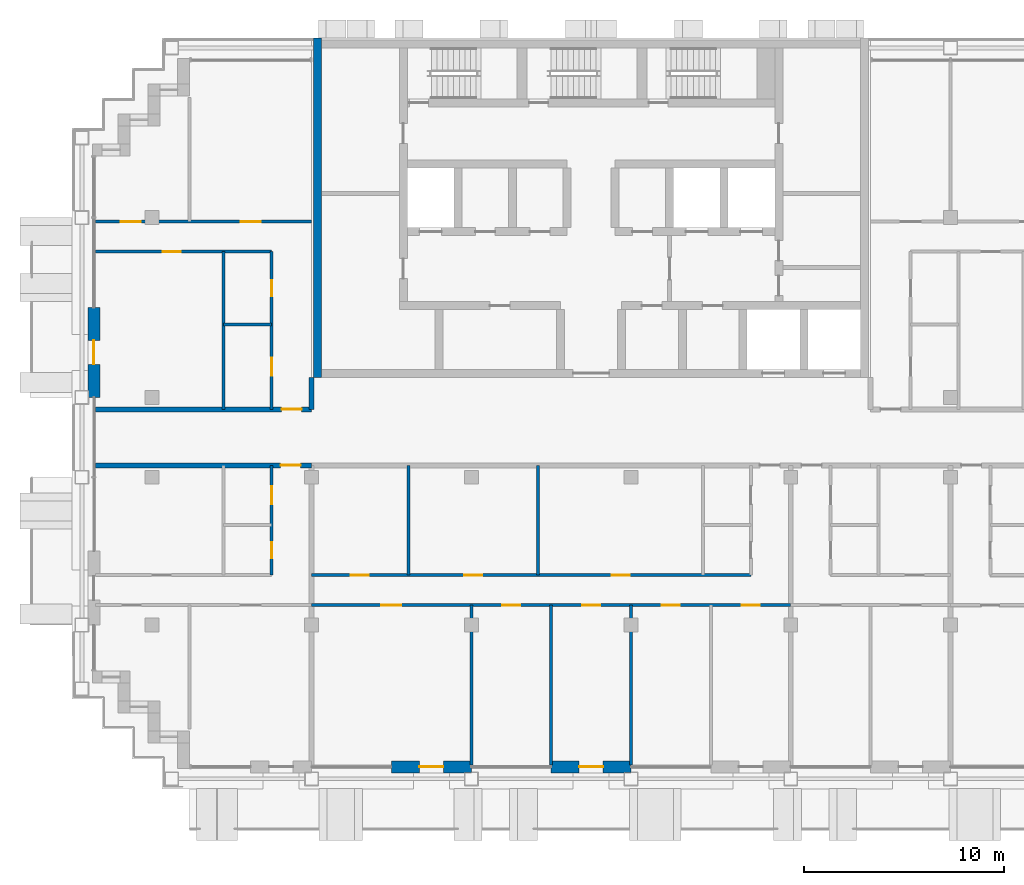
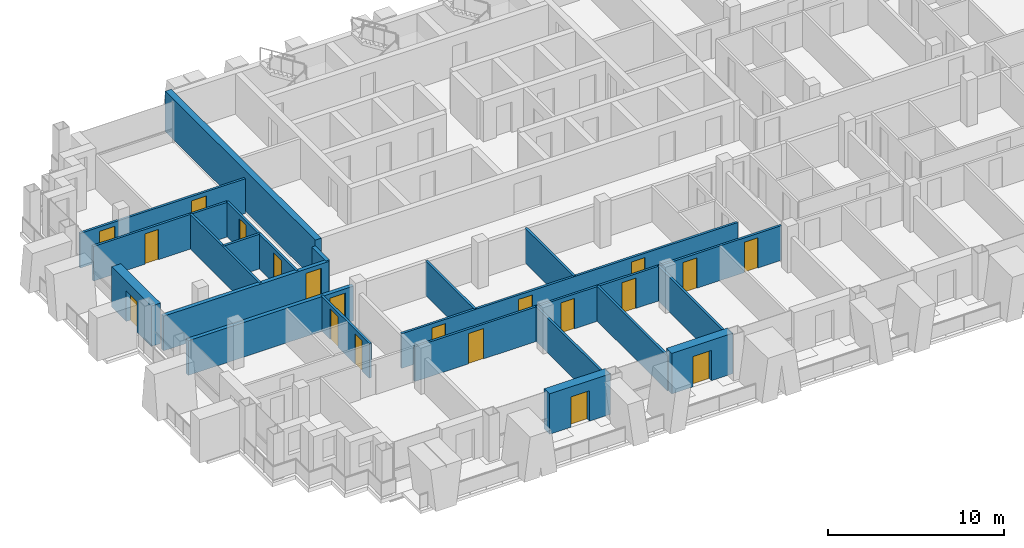
# One storey, part 8 of 16: 20 doors, 20 walls, 20 openings.
"""IFC4 building model written with IfcOpenShell, lengths in metres."""

from ifc_helpers import new_model, si_unit, direction, frame, frame_2d, origin, place, context, subcontext, project, spatial, rectangle, extrude, material, layer, layer_set, type_object, element, fill, save


model = new_model("IFC4")

# Units and contexts
model_context = context("Model", 3, precision=1e-05, world=origin(), true_north=direction((0.0, 1.0)))
body_context = subcontext(model_context, "Body", "Model", "MODEL_VIEW")
ifc_project = project(units=[si_unit("LENGTHUNIT", "METRE"), si_unit("AREAUNIT", "SQUARE_METRE"), si_unit("VOLUMEUNIT", "CUBIC_METRE"), si_unit("PLANEANGLEUNIT", "RADIAN"), si_unit("MASSUNIT", "GRAM", prefix="KILO")], contexts=[model_context])

# Site, building, storey
site_placement = place(None, origin())
site = spatial("IfcSite", under=ifc_project, at=site_placement, CompositionType="ELEMENT")
building_placement = place(site_placement, origin())
building = spatial("IfcBuilding", under=site, at=building_placement, Name="Vidyagriha Tower", CompositionType="ELEMENT")
storey_placement = place(building_placement, frame((0.0, 0.0, 190.89990234375)))
storey = spatial("IfcBuildingStorey", under=building, at=storey_placement, Name="L50", CompositionType="ELEMENT", Elevation=190.89990234375)

# Wall, opening, door
ifc_material_1 = material(Name="Precast concrete C40/50 with brick facing", Category="concrete")
ifc_layer_1 = layer(ifc_material_1, 0.60009765625)
ifc_layer_set_1 = layer_set([ifc_layer_1], Name="Precast concrete C40/50 with brick facing")
wall_type_1 = type_object("IfcWallType", Name="Brick-faced precast wall 600", PredefinedType="STANDARD", material=ifc_layer_set_1)
wall_1_placement = place(storey_placement, frame((-24.89990234375, 6.5, 0.0), z_axis=(0.0, 0.0, 1.0), x_axis=(0.0, -1.0, 0.0)))
wall_1 = element("IfcWall", 1, at=wall_1_placement, inside=storey, type_object=wall_type_1, Name="Brick door bay wall L50 R16.3", PredefinedType="STANDARD", context=body_context, shape_type="SweptSolid", body=[
    extrude(rectangle(XDim=4.5, YDim=0.60009765625, at=frame_2d((2.25, 0.0))), origin(), (0.0, 0.0, 1.0), 2.800048828125),
])
opening_1_placement = place(wall_1_placement, frame((1.64990234375, 0.0, 0.0)))
opening_1 = element("IfcOpeningElement", 2, at=opening_1_placement, cuts=wall_1, Name="Opening D50-70", PredefinedType="OPENING", context=body_context, shape_type="SweptSolid", body=[
    extrude(rectangle(XDim=1.199951171875, YDim=2.10009765625, at=frame_2d((0.60009765625, 1.050048828125))), frame((0.0, 0.31005859375, 0.0), z_axis=(0.0, -1.0, 0.0), x_axis=(1.0, 0.0, 0.0)), (0.0, 0.0, 1.0), 0.6201171875),
])
ifc_material_2 = material(Name="Aluminium framed glazed sliding door", Category="aluminium")
door_type_1 = type_object("IfcDoorType", Name="Balcony sliding door 1200x2100", OperationType="NOTDEFINED", PredefinedType="DOOR", material=ifc_material_2)
door_1_placement = place(opening_1_placement, origin())
door_1 = element("IfcDoor", 3, at=door_1_placement, inside=storey, type_object=door_type_1, Name="Door D50-70", OperationType="SLIDING_TO_LEFT", OverallHeight=2.10009765625, OverallWidth=1.199951171875, PredefinedType="DOOR", context=body_context, shape_type="SweptSolid", body=[
    extrude(rectangle(XDim=1.199951171875, YDim=2.10009765625, at=frame_2d((0.60009765625, 1.050048828125))), frame((0.0, 0.02490234375, 0.0), z_axis=(0.0, -1.0, 0.0), x_axis=(1.0, 0.0, 0.0)), (0.0, 0.0, 1.0), 0.050048828125),
])
fill(opening_1, door_1)

wall_2_placement = place(storey_placement, frame((-10.0, -16.5, 0.0)))
wall_2 = element("IfcWall", 4, at=wall_2_placement, inside=storey, type_object=wall_type_1, Name="Brick door bay wall L50 R23.4", PredefinedType="STANDARD", context=body_context, shape_type="SweptSolid", body=[
    extrude(rectangle(XDim=4.0, YDim=0.60009765625, at=frame_2d((2.0, 0.0))), origin(), (0.0, 0.0, 1.0), 2.800048828125),
])
opening_2_placement = place(wall_2_placement, frame((1.39990234375, 0.0, 0.0)))
opening_2 = element("IfcOpeningElement", 5, at=opening_2_placement, cuts=wall_2, Name="Opening D50-73", PredefinedType="OPENING", context=body_context, shape_type="SweptSolid", body=[
    extrude(rectangle(XDim=1.199951171875, YDim=2.10009765625, at=frame_2d((0.60009765625, 1.050048828125))), frame((0.0, 0.31005859375, 0.0), z_axis=(0.0, -1.0, 0.0), x_axis=(1.0, 0.0, 0.0)), (0.0, 0.0, 1.0), 0.6201171875),
])
door_2_placement = place(opening_2_placement, origin())
door_2 = element("IfcDoor", 6, at=door_2_placement, inside=storey, type_object=door_type_1, Name="Door D50-73", OperationType="SLIDING_TO_LEFT", OverallHeight=2.10009765625, OverallWidth=1.199951171875, PredefinedType="DOOR", context=body_context, shape_type="SweptSolid", body=[
    extrude(rectangle(XDim=1.199951171875, YDim=2.10009765625, at=frame_2d((0.60009765625, 1.050048828125))), frame((0.0, 0.02490234375, 0.0), z_axis=(0.0, -1.0, 0.0), x_axis=(1.0, 0.0, 0.0)), (0.0, 0.0, 1.0), 0.050048828125),
])
fill(opening_2, door_2)

wall_3_placement = place(storey_placement, frame((-2.0, -16.5, 0.0)))
wall_3 = element("IfcWall", 7, at=wall_3_placement, inside=storey, type_object=wall_type_1, Name="Brick door bay wall L50 R23.6", PredefinedType="STANDARD", context=body_context, shape_type="SweptSolid", body=[
    extrude(rectangle(XDim=4.0, YDim=0.60009765625, at=frame_2d((2.0, 0.0))), origin(), (0.0, 0.0, 1.0), 2.800048828125),
])
opening_3_placement = place(wall_3_placement, frame((1.39990234375, 0.0, 0.0)))
opening_3 = element("IfcOpeningElement", 8, at=opening_3_placement, cuts=wall_3, Name="Opening D50-74", PredefinedType="OPENING", context=body_context, shape_type="SweptSolid", body=[
    extrude(rectangle(XDim=1.199951171875, YDim=2.10009765625, at=frame_2d((0.60009765625, 1.050048828125))), frame((0.0, 0.31005859375, 0.0), z_axis=(0.0, -1.0, 0.0), x_axis=(1.0, 0.0, 0.0)), (0.0, 0.0, 1.0), 0.6201171875),
])
door_3_placement = place(opening_3_placement, origin())
door_3 = element("IfcDoor", 9, at=door_3_placement, inside=storey, type_object=door_type_1, Name="Door D50-74", OperationType="SLIDING_TO_LEFT", OverallHeight=2.10009765625, OverallWidth=1.199951171875, PredefinedType="DOOR", context=body_context, shape_type="SweptSolid", body=[
    extrude(rectangle(XDim=1.199951171875, YDim=2.10009765625, at=frame_2d((0.60009765625, 1.050048828125))), frame((0.0, 0.02490234375, 0.0), z_axis=(0.0, -1.0, 0.0), x_axis=(1.0, 0.0, 0.0)), (0.0, 0.0, 1.0), 0.050048828125),
])
fill(opening_3, door_3)

# Wall
ifc_material_3 = material(Name="Concrete C60/75", Category="concrete")
ifc_layer_2 = layer(ifc_material_3, 0.39990234375)
ifc_layer_set_2 = layer_set([ifc_layer_2], Name="Concrete C60/75")
wall_type_2 = type_object("IfcWallType", Name="Core shear wall 400 mm", PredefinedType="SHEAR", material=ifc_layer_set_2)
wall_4_placement = place(storey_placement, frame((-13.699951171875, 3.0, 0.0), z_axis=(0.0, 0.0, 1.0), x_axis=(0.0, 1.0, 0.0)))
element("IfcWall", 10, at=wall_4_placement, inside=storey, type_object=wall_type_2, Name="Core west wall", PredefinedType="SHEAR", context=body_context, shape_type="SweptSolid", body=[
    extrude(rectangle(XDim=17.0, YDim=0.39990234375, at=frame_2d((8.5, 0.0))), origin(), (0.0, 0.0, 1.0), 2.800048828125),
])

# Wall, opening, door
ifc_material_4 = material(Name="Fired clay brick masonry", Category="masonry")
ifc_layer_3 = layer(ifc_material_4, 0.25)
ifc_layer_set_3 = layer_set([ifc_layer_3], Name="Fired clay brick masonry")
wall_type_3 = type_object("IfcWallType", Name="Fired clay brick corridor wall 250", PredefinedType="PARTITIONING", material=ifc_layer_set_3)
wall_5_placement = place(storey_placement, frame((-14.0, -1.39990234375, 0.0), z_axis=(0.0, 0.0, 1.0), x_axis=(-1.0, 0.0, 0.0)))
wall_5 = element("IfcWall", 11, at=wall_5_placement, inside=storey, type_object=wall_type_3, Name="Wall all-L50-w070", PredefinedType="PARTITIONING", context=body_context, shape_type="SweptSolid", body=[
    extrude(rectangle(XDim=10.820068359375, YDim=0.25, at=frame_2d((5.41015625, 0.0))), origin(), (0.0, 0.0, 1.0), 2.400146484375),
])
opening_4_placement = place(wall_5_placement, frame((0.547119140625, 0.0, 0.0)))
opening_4 = element("IfcOpeningElement", 12, at=opening_4_placement, cuts=wall_5, Name="Opening D50-22", PredefinedType="OPENING", context=body_context, shape_type="SweptSolid", body=[
    extrude(rectangle(XDim=1.0, YDim=2.10009765625, at=frame_2d((0.5, 1.050048828125))), frame((0.0, 0.135009765625, 0.0), z_axis=(0.0, -1.0, 0.0), x_axis=(1.0, 0.0, 0.0)), (0.0, 0.0, 1.0), 0.27001953125),
])
ifc_material_5 = material(Name="Fire-rated timber door leaf EI 60", Category="wood")
door_type_2 = type_object("IfcDoorType", Name="Flat entrance fire door 1000x2100", OperationType="NOTDEFINED", PredefinedType="DOOR", material=ifc_material_5)
door_4_placement = place(opening_4_placement, origin())
door_4 = element("IfcDoor", 13, at=door_4_placement, inside=storey, type_object=door_type_2, Name="Door D50-22", OperationType="SINGLE_SWING_LEFT", OverallHeight=2.10009765625, OverallWidth=1.0, PredefinedType="DOOR", context=body_context, shape_type="SweptSolid", body=[
    extrude(rectangle(XDim=1.0, YDim=2.10009765625, at=frame_2d((0.5, 1.050048828125))), frame((0.0, 0.02490234375, 0.0), z_axis=(0.0, -1.0, 0.0), x_axis=(1.0, 0.0, 0.0)), (0.0, 0.0, 1.0), 0.050048828125),
])
fill(opening_4, door_4)

wall_6_placement = place(storey_placement, frame((-24.820068359375, 1.39990234375, 0.0)))
wall_6 = element("IfcWall", 14, at=wall_6_placement, inside=storey, type_object=wall_type_3, Name="Wall all-L50-w085", PredefinedType="PARTITIONING", context=body_context, shape_type="SweptSolid", body=[
    extrude(rectangle(XDim=10.820068359375, YDim=0.25, at=frame_2d((5.41015625, 0.0))), origin(), (0.0, 0.0, 1.0), 2.400146484375),
])
opening_5_placement = place(wall_6_placement, frame((9.320068359375, 0.0, 0.0)))
opening_5 = element("IfcOpeningElement", 15, at=opening_5_placement, cuts=wall_6, Name="Opening D50-55", PredefinedType="OPENING", context=body_context, shape_type="SweptSolid", body=[
    extrude(rectangle(XDim=1.0, YDim=2.10009765625, at=frame_2d((0.5, 1.050048828125))), frame((0.0, 0.135009765625, 0.0), z_axis=(0.0, -1.0, 0.0), x_axis=(1.0, 0.0, 0.0)), (0.0, 0.0, 1.0), 0.27001953125),
])
door_5_placement = place(opening_5_placement, origin())
door_5 = element("IfcDoor", 16, at=door_5_placement, inside=storey, type_object=door_type_2, Name="Door D50-55", OperationType="SINGLE_SWING_RIGHT", OverallHeight=2.10009765625, OverallWidth=1.0, PredefinedType="DOOR", context=body_context, shape_type="SweptSolid", body=[
    extrude(rectangle(XDim=1.0, YDim=2.10009765625, at=frame_2d((0.5, 1.050048828125))), frame((0.0, 0.02490234375, 0.0), z_axis=(0.0, -1.0, 0.0), x_axis=(1.0, 0.0, 0.0)), (0.0, 0.0, 1.0), 0.050048828125),
])
fill(opening_5, door_5)

# Walls
wall_7_placement = place(storey_placement, frame((-14.0, 3.0, 0.0), z_axis=(0.0, 0.0, 1.0), x_axis=(0.0, -1.0, 0.0)))
element("IfcWall", 17, at=wall_7_placement, inside=storey, type_object=wall_type_3, Name="Wall all-L50-w118", PredefinedType="PARTITIONING", context=body_context, shape_type="SweptSolid", body=[
    extrude(rectangle(XDim=1.60009765625, YDim=0.25, at=frame_2d((0.800048828125, 0.0))), origin(), (0.0, 0.0, 1.0), 2.400146484375),
])
ifc_material_6 = material(Name="Gypsum board partition")
ifc_layer_4 = layer(ifc_material_6, 0.14990234375)
ifc_layer_set_4 = layer_set([ifc_layer_4], Name="Gypsum board partition")
wall_type_4 = type_object("IfcWallType", Name="Gypsum board partition 150", PredefinedType="PARTITIONING", material=ifc_layer_set_4)
for number, where, z_axis, x_axis, name in (
    (18, (-2.64990234375, -6.89990234375, 0.0), (0.0, 0.0, 1.0), (0.0, 1.0, 0.0), "Wall all-L50-w018"),
    (19, (-9.14990234375, -6.89990234375, 0.0), (0.0, 0.0, 1.0), (0.0, 1.0, 0.0), "Wall all-L50-w019"),
):
    element("IfcWall", number, at=place(storey_placement, frame(where, z_axis=z_axis, x_axis=x_axis)), inside=storey, type_object=wall_type_4, Name=name, PredefinedType="PARTITIONING", context=body_context, shape_type="SweptSolid", body=[
        extrude(rectangle(XDim=5.5, YDim=0.14990234375, at=frame_2d((2.75, 0.0))), origin(), (0.0, 0.0, 1.0), 2.400146484375),
    ])

# Wall, openings, doors
wall_8_placement = place(storey_placement, frame((-14.0, -6.89990234375, 0.0)))
wall_8 = element("IfcWall", 20, at=wall_8_placement, inside=storey, type_object=wall_type_4, Name="Wall all-L50-w020", PredefinedType="PARTITIONING", context=body_context, shape_type="SweptSolid", body=[
    extrude(rectangle(XDim=22.0, YDim=0.14990234375, at=frame_2d((11.0, 0.0))), origin(), (0.0, 0.0, 1.0), 2.400146484375),
])
opening_6_placement = place(wall_8_placement, frame((15.02490234375, 0.0, 0.0)))
opening_6 = element("IfcOpeningElement", 21, at=opening_6_placement, cuts=wall_8, Name="Opening D50-25", PredefinedType="OPENING", context=body_context, shape_type="SweptSolid", body=[
    extrude(rectangle(XDim=0.89990234375, YDim=2.10009765625, at=frame_2d((0.449951171875, 1.050048828125))), frame((0.0, 0.0849609375, 0.0), z_axis=(0.0, -1.0, 0.0), x_axis=(1.0, 0.0, 0.0)), (0.0, 0.0, 1.0), 0.169921875),
])
opening_7_placement = place(wall_8_placement, frame((7.64990234375, 0.0, 0.0)))
opening_7 = element("IfcOpeningElement", 22, at=opening_7_placement, cuts=wall_8, Name="Opening D50-26", PredefinedType="OPENING", context=body_context, shape_type="SweptSolid", body=[
    extrude(rectangle(XDim=0.89990234375, YDim=2.10009765625, at=frame_2d((0.449951171875, 1.050048828125))), frame((0.0, 0.0849609375, 0.0), z_axis=(0.0, -1.0, 0.0), x_axis=(1.0, 0.0, 0.0)), (0.0, 0.0, 1.0), 0.169921875),
])
opening_8_placement = place(wall_8_placement, frame((1.97509765625, 0.0, 0.0)))
opening_8 = element("IfcOpeningElement", 23, at=opening_8_placement, cuts=wall_8, Name="Opening D50-27", PredefinedType="OPENING", context=body_context, shape_type="SweptSolid", body=[
    extrude(rectangle(XDim=0.89990234375, YDim=2.10009765625, at=frame_2d((0.449951171875, 1.050048828125))), frame((0.0, 0.0849609375, 0.0), z_axis=(0.0, -1.0, 0.0), x_axis=(1.0, 0.0, 0.0)), (0.0, 0.0, 1.0), 0.169921875),
])
ifc_material_7 = material(Name="Timber door leaf", Category="wood")
door_type_3 = type_object("IfcDoorType", Name="Room door 900x2100", OperationType="NOTDEFINED", PredefinedType="DOOR", material=ifc_material_7)
door_6_placement = place(opening_6_placement, origin())
door_6 = element("IfcDoor", 24, at=door_6_placement, inside=storey, type_object=door_type_3, Name="Door D50-25", OperationType="SINGLE_SWING_RIGHT", OverallHeight=2.10009765625, OverallWidth=0.89990234375, PredefinedType="DOOR", context=body_context, shape_type="SweptSolid", body=[
    extrude(rectangle(XDim=0.89990234375, YDim=2.10009765625, at=frame_2d((0.449951171875, 1.050048828125))), frame((0.0, 0.02490234375, 0.0), z_axis=(0.0, -1.0, 0.0), x_axis=(1.0, 0.0, 0.0)), (0.0, 0.0, 1.0), 0.050048828125),
])
fill(opening_6, door_6)
door_7_placement = place(opening_7_placement, origin())
door_7 = element("IfcDoor", 25, at=door_7_placement, inside=storey, type_object=door_type_3, Name="Door D50-26", OperationType="SINGLE_SWING_LEFT", OverallHeight=2.10009765625, OverallWidth=0.89990234375, PredefinedType="DOOR", context=body_context, shape_type="SweptSolid", body=[
    extrude(rectangle(XDim=0.89990234375, YDim=2.10009765625, at=frame_2d((0.449951171875, 1.050048828125))), frame((0.0, 0.02490234375, 0.0), z_axis=(0.0, -1.0, 0.0), x_axis=(1.0, 0.0, 0.0)), (0.0, 0.0, 1.0), 0.050048828125),
])
fill(opening_7, door_7)
door_8_placement = place(opening_8_placement, origin())
door_8 = element("IfcDoor", 26, at=door_8_placement, inside=storey, type_object=door_type_3, Name="Door D50-27", OperationType="SINGLE_SWING_RIGHT", OverallHeight=2.10009765625, OverallWidth=0.89990234375, PredefinedType="DOOR", context=body_context, shape_type="SweptSolid", body=[
    extrude(rectangle(XDim=0.89990234375, YDim=2.10009765625, at=frame_2d((0.449951171875, 1.050048828125))), frame((0.0, 0.02490234375, 0.0), z_axis=(0.0, -1.0, 0.0), x_axis=(1.0, 0.0, 0.0)), (0.0, 0.0, 1.0), 0.050048828125),
])
fill(opening_8, door_8)

wall_9_placement = place(storey_placement, frame((10.0, -8.39990234375, 0.0), z_axis=(0.0, 0.0, 1.0), x_axis=(-1.0, 0.0, 0.0)))
wall_9 = element("IfcWall", 27, at=wall_9_placement, inside=storey, type_object=wall_type_4, Name="Wall all-L50-w024", PredefinedType="PARTITIONING", context=body_context, shape_type="SweptSolid", body=[
    extrude(rectangle(XDim=24.0, YDim=0.14990234375, at=frame_2d((12.0, 0.0))), origin(), (0.0, 0.0, 1.0), 2.400146484375),
])
opening_9_placement = place(wall_9_placement, frame((19.5, 0.0, 0.0)))
opening_9 = element("IfcOpeningElement", 28, at=opening_9_placement, cuts=wall_9, Name="Opening D50-28", PredefinedType="OPENING", context=body_context, shape_type="SweptSolid", body=[
    extrude(rectangle(XDim=1.0, YDim=2.10009765625, at=frame_2d((0.5, 1.050048828125))), frame((0.0, 0.0849609375, 0.0), z_axis=(0.0, -1.0, 0.0), x_axis=(1.0, 0.0, 0.0)), (0.0, 0.0, 1.0), 0.169921875),
])
opening_10_placement = place(wall_9_placement, frame((13.550048828125, 0.0, 0.0)))
opening_10 = element("IfcOpeningElement", 29, at=opening_10_placement, cuts=wall_9, Name="Opening D50-29", PredefinedType="OPENING", context=body_context, shape_type="SweptSolid", body=[
    extrude(rectangle(XDim=0.89990234375, YDim=2.10009765625, at=frame_2d((0.449951171875, 1.050048828125))), frame((0.0, 0.0849609375, 0.0), z_axis=(0.0, -1.0, 0.0), x_axis=(1.0, 0.0, 0.0)), (0.0, 0.0, 1.0), 0.169921875),
])
opening_11_placement = place(wall_9_placement, frame((9.550048828125, 0.0, 0.0)))
opening_11 = element("IfcOpeningElement", 30, at=opening_11_placement, cuts=wall_9, Name="Opening D50-30", PredefinedType="OPENING", context=body_context, shape_type="SweptSolid", body=[
    extrude(rectangle(XDim=0.89990234375, YDim=2.10009765625, at=frame_2d((0.449951171875, 1.050048828125))), frame((0.0, 0.0849609375, 0.0), z_axis=(0.0, -1.0, 0.0), x_axis=(1.0, 0.0, 0.0)), (0.0, 0.0, 1.0), 0.169921875),
])
opening_12_placement = place(wall_9_placement, frame((5.550048828125, 0.0, 0.0)))
opening_12 = element("IfcOpeningElement", 31, at=opening_12_placement, cuts=wall_9, Name="Opening D50-31", PredefinedType="OPENING", context=body_context, shape_type="SweptSolid", body=[
    extrude(rectangle(XDim=0.89990234375, YDim=2.10009765625, at=frame_2d((0.449951171875, 1.050048828125))), frame((0.0, 0.0849609375, 0.0), z_axis=(0.0, -1.0, 0.0), x_axis=(1.0, 0.0, 0.0)), (0.0, 0.0, 1.0), 0.169921875),
])
opening_13_placement = place(wall_9_placement, frame((1.550048828125, 0.0, 0.0)))
opening_13 = element("IfcOpeningElement", 32, at=opening_13_placement, cuts=wall_9, Name="Opening D50-32", PredefinedType="OPENING", context=body_context, shape_type="SweptSolid", body=[
    extrude(rectangle(XDim=0.89990234375, YDim=2.10009765625, at=frame_2d((0.449951171875, 1.050048828125))), frame((0.0, 0.0849609375, 0.0), z_axis=(0.0, -1.0, 0.0), x_axis=(1.0, 0.0, 0.0)), (0.0, 0.0, 1.0), 0.169921875),
])
ifc_material_8 = material(Name="Timber door leaf", Category="wood")
door_type_4 = type_object("IfcDoorType", Name="Room door 1000x2100", OperationType="NOTDEFINED", PredefinedType="DOOR", material=ifc_material_8)
door_9_placement = place(opening_9_placement, origin())
door_9 = element("IfcDoor", 33, at=door_9_placement, inside=storey, type_object=door_type_4, Name="Door D50-28", OperationType="SINGLE_SWING_RIGHT", OverallHeight=2.10009765625, OverallWidth=1.0, PredefinedType="DOOR", context=body_context, shape_type="SweptSolid", body=[
    extrude(rectangle(XDim=1.0, YDim=2.10009765625, at=frame_2d((0.5, 1.050048828125))), frame((0.0, 0.02490234375, 0.0), z_axis=(0.0, -1.0, 0.0), x_axis=(1.0, 0.0, 0.0)), (0.0, 0.0, 1.0), 0.050048828125),
])
fill(opening_9, door_9)
door_10_placement = place(opening_10_placement, origin())
door_10 = element("IfcDoor", 34, at=door_10_placement, inside=storey, type_object=door_type_3, Name="Door D50-29", OperationType="SINGLE_SWING_RIGHT", OverallHeight=2.10009765625, OverallWidth=0.89990234375, PredefinedType="DOOR", context=body_context, shape_type="SweptSolid", body=[
    extrude(rectangle(XDim=0.89990234375, YDim=2.10009765625, at=frame_2d((0.449951171875, 1.050048828125))), frame((0.0, 0.02490234375, 0.0), z_axis=(0.0, -1.0, 0.0), x_axis=(1.0, 0.0, 0.0)), (0.0, 0.0, 1.0), 0.050048828125),
])
fill(opening_10, door_10)
door_11_placement = place(opening_11_placement, origin())
door_11 = element("IfcDoor", 35, at=door_11_placement, inside=storey, type_object=door_type_3, Name="Door D50-30", OperationType="SINGLE_SWING_RIGHT", OverallHeight=2.10009765625, OverallWidth=0.89990234375, PredefinedType="DOOR", context=body_context, shape_type="SweptSolid", body=[
    extrude(rectangle(XDim=0.89990234375, YDim=2.10009765625, at=frame_2d((0.449951171875, 1.050048828125))), frame((0.0, 0.02490234375, 0.0), z_axis=(0.0, -1.0, 0.0), x_axis=(1.0, 0.0, 0.0)), (0.0, 0.0, 1.0), 0.050048828125),
])
fill(opening_11, door_11)
door_12_placement = place(opening_12_placement, origin())
door_12 = element("IfcDoor", 36, at=door_12_placement, inside=storey, type_object=door_type_3, Name="Door D50-31", OperationType="SINGLE_SWING_RIGHT", OverallHeight=2.10009765625, OverallWidth=0.89990234375, PredefinedType="DOOR", context=body_context, shape_type="SweptSolid", body=[
    extrude(rectangle(XDim=0.89990234375, YDim=2.10009765625, at=frame_2d((0.449951171875, 1.050048828125))), frame((0.0, 0.02490234375, 0.0), z_axis=(0.0, -1.0, 0.0), x_axis=(1.0, 0.0, 0.0)), (0.0, 0.0, 1.0), 0.050048828125),
])
fill(opening_12, door_12)
door_13_placement = place(opening_13_placement, origin())
door_13 = element("IfcDoor", 37, at=door_13_placement, inside=storey, type_object=door_type_3, Name="Door D50-32", OperationType="SINGLE_SWING_RIGHT", OverallHeight=2.10009765625, OverallWidth=0.89990234375, PredefinedType="DOOR", context=body_context, shape_type="SweptSolid", body=[
    extrude(rectangle(XDim=0.89990234375, YDim=2.10009765625, at=frame_2d((0.449951171875, 1.050048828125))), frame((0.0, 0.02490234375, 0.0), z_axis=(0.0, -1.0, 0.0), x_axis=(1.0, 0.0, 0.0)), (0.0, 0.0, 1.0), 0.050048828125),
])
fill(opening_13, door_13)

# Walls
wall_10_placement = place(storey_placement, frame((-6.0, -8.39990234375, 0.0), z_axis=(0.0, 0.0, 1.0), x_axis=(0.0, -1.0, 0.0)))
element("IfcWall", 38, at=wall_10_placement, inside=storey, type_object=wall_type_4, Name="Wall all-L50-w030", PredefinedType="PARTITIONING", context=body_context, shape_type="SweptSolid", body=[
    extrude(rectangle(XDim=8.010009765625, YDim=0.14990234375, at=frame_2d((4.0048828125, 0.0))), origin(), (0.0, 0.0, 1.0), 2.400146484375),
])
wall_11_placement = place(storey_placement, frame((-2.0, -8.39990234375, 0.0), z_axis=(0.0, 0.0, 1.0), x_axis=(0.0, -1.0, 0.0)))
element("IfcWall", 39, at=wall_11_placement, inside=storey, type_object=wall_type_4, Name="Wall all-L50-w031", PredefinedType="PARTITIONING", context=body_context, shape_type="SweptSolid", body=[
    extrude(rectangle(XDim=8.02099609375, YDim=0.14990234375, at=frame_2d((4.010498046875, 0.0))), origin(), (0.0, 0.0, 1.0), 2.400146484375),
])
wall_12_placement = place(storey_placement, frame((2.0, -8.39990234375, 0.0), z_axis=(0.0, 0.0, 1.0), x_axis=(0.0, -1.0, 0.0)))
element("IfcWall", 40, at=wall_12_placement, inside=storey, type_object=wall_type_4, Name="Wall all-L50-w032", PredefinedType="PARTITIONING", context=body_context, shape_type="SweptSolid", body=[
    extrude(rectangle(XDim=8.010009765625, YDim=0.14990234375, at=frame_2d((4.0048828125, 0.0))), origin(), (0.0, 0.0, 1.0), 2.400146484375),
])
wall_13_placement = place(storey_placement, frame((-18.39990234375, 5.64990234375, 0.0)))
element("IfcWall", 41, at=wall_13_placement, inside=storey, type_object=wall_type_4, Name="Wall all-L50-w076", PredefinedType="PARTITIONING", context=body_context, shape_type="SweptSolid", body=[
    extrude(rectangle(XDim=2.39990234375, YDim=0.14990234375, at=frame_2d((1.199951171875, 0.0))), origin(), (0.0, 0.0, 1.0), 2.400146484375),
])
wall_14_placement = place(storey_placement, frame((-18.39990234375, 1.39990234375, 0.0), z_axis=(0.0, 0.0, 1.0), x_axis=(0.0, 1.0, 0.0)))
element("IfcWall", 42, at=wall_14_placement, inside=storey, type_object=wall_type_4, Name="Wall all-L50-w077", PredefinedType="PARTITIONING", context=body_context, shape_type="SweptSolid", body=[
    extrude(rectangle(XDim=7.900146484375, YDim=0.14990234375, at=frame_2d((3.9501953125, 0.0))), origin(), (0.0, 0.0, 1.0), 2.400146484375),
])

# Wall, opening, door
wall_15_placement = place(storey_placement, frame((-16.0, 9.300048828125, 0.0), z_axis=(0.0, 0.0, 1.0), x_axis=(-1.0, 0.0, 0.0)))
wall_15 = element("IfcWall", 43, at=wall_15_placement, inside=storey, type_object=wall_type_4, Name="Wall all-L50-w078", PredefinedType="PARTITIONING", context=body_context, shape_type="SweptSolid", body=[
    extrude(rectangle(XDim=8.820068359375, YDim=0.14990234375, at=frame_2d((4.41015625, 0.0))), origin(), (0.0, 0.0, 1.0), 2.400146484375),
])
opening_14_placement = place(wall_15_placement, frame((4.552978515625, 0.0, 0.0)))
opening_14 = element("IfcOpeningElement", 44, at=opening_14_placement, cuts=wall_15, Name="Opening D50-52", PredefinedType="OPENING", context=body_context, shape_type="SweptSolid", body=[
    extrude(rectangle(XDim=0.89990234375, YDim=2.10009765625, at=frame_2d((0.449951171875, 1.050048828125))), frame((0.0, 0.0849609375, 0.0), z_axis=(0.0, -1.0, 0.0), x_axis=(1.0, 0.0, 0.0)), (0.0, 0.0, 1.0), 0.169921875),
])
door_14_placement = place(opening_14_placement, origin())
door_14 = element("IfcDoor", 45, at=door_14_placement, inside=storey, type_object=door_type_3, Name="Door D50-52", OperationType="SINGLE_SWING_LEFT", OverallHeight=2.10009765625, OverallWidth=0.89990234375, PredefinedType="DOOR", context=body_context, shape_type="SweptSolid", body=[
    extrude(rectangle(XDim=0.89990234375, YDim=2.10009765625, at=frame_2d((0.449951171875, 1.050048828125))), frame((0.0, 0.02490234375, 0.0), z_axis=(0.0, -1.0, 0.0), x_axis=(1.0, 0.0, 0.0)), (0.0, 0.0, 1.0), 0.050048828125),
])
fill(opening_14, door_14)

# Wall, openings, doors
wall_16_placement = place(storey_placement, frame((-24.820068359375, 10.800048828125, 0.0)))
wall_16 = element("IfcWall", 46, at=wall_16_placement, inside=storey, type_object=wall_type_4, Name="Wall all-L50-w080", PredefinedType="PARTITIONING", context=body_context, shape_type="SweptSolid", body=[
    extrude(rectangle(XDim=10.820068359375, YDim=0.14990234375, at=frame_2d((5.41015625, 0.0))), origin(), (0.0, 0.0, 1.0), 2.400146484375),
])
opening_15_placement = place(wall_16_placement, frame((1.27294921875, 0.0, 0.0)))
opening_15 = element("IfcOpeningElement", 47, at=opening_15_placement, cuts=wall_16, Name="Opening D50-53", PredefinedType="OPENING", context=body_context, shape_type="SweptSolid", body=[
    extrude(rectangle(XDim=1.0, YDim=2.10009765625, at=frame_2d((0.5, 1.050048828125))), frame((0.0, 0.0849609375, 0.0), z_axis=(0.0, -1.0, 0.0), x_axis=(1.0, 0.0, 0.0)), (0.0, 0.0, 1.0), 0.169921875),
])
opening_16_placement = place(wall_16_placement, frame((7.27001953125, 0.0, 0.0)))
opening_16 = element("IfcOpeningElement", 48, at=opening_16_placement, cuts=wall_16, Name="Opening D50-54", PredefinedType="OPENING", context=body_context, shape_type="SweptSolid", body=[
    extrude(rectangle(XDim=1.0, YDim=2.10009765625, at=frame_2d((0.5, 1.050048828125))), frame((0.0, 0.0849609375, 0.0), z_axis=(0.0, -1.0, 0.0), x_axis=(1.0, 0.0, 0.0)), (0.0, 0.0, 1.0), 0.169921875),
])
door_15_placement = place(opening_15_placement, origin())
door_15 = element("IfcDoor", 49, at=door_15_placement, inside=storey, type_object=door_type_4, Name="Door D50-53", OperationType="SINGLE_SWING_LEFT", OverallHeight=2.10009765625, OverallWidth=1.0, PredefinedType="DOOR", context=body_context, shape_type="SweptSolid", body=[
    extrude(rectangle(XDim=1.0, YDim=2.10009765625, at=frame_2d((0.5, 1.050048828125))), frame((0.0, 0.02490234375, 0.0), z_axis=(0.0, -1.0, 0.0), x_axis=(1.0, 0.0, 0.0)), (0.0, 0.0, 1.0), 0.050048828125),
])
fill(opening_15, door_15)
door_16_placement = place(opening_16_placement, origin())
door_16 = element("IfcDoor", 50, at=door_16_placement, inside=storey, type_object=door_type_4, Name="Door D50-54", OperationType="SINGLE_SWING_RIGHT", OverallHeight=2.10009765625, OverallWidth=1.0, PredefinedType="DOOR", context=body_context, shape_type="SweptSolid", body=[
    extrude(rectangle(XDim=1.0, YDim=2.10009765625, at=frame_2d((0.5, 1.050048828125))), frame((0.0, 0.02490234375, 0.0), z_axis=(0.0, -1.0, 0.0), x_axis=(1.0, 0.0, 0.0)), (0.0, 0.0, 1.0), 0.050048828125),
])
fill(opening_16, door_16)

ifc_material_9 = material(Name="Moisture resistant gypsum board partition")
ifc_layer_5 = layer(ifc_material_9, 0.14990234375)
ifc_layer_set_5 = layer_set([ifc_layer_5], Name="Moisture resistant gypsum board partition")
wall_type_5 = type_object("IfcWallType", Name="Gypsum board wet-area partition 150", PredefinedType="PARTITIONING", material=ifc_layer_set_5)
wall_17_placement = place(storey_placement, frame((-16.0, -6.89990234375, 0.0), z_axis=(0.0, 0.0, 1.0), x_axis=(0.0, 1.0, 0.0)))
wall_17 = element("IfcWall", 51, at=wall_17_placement, inside=storey, type_object=wall_type_5, Name="Wall all-L50-w001", PredefinedType="PARTITIONING", context=body_context, shape_type="SweptSolid", body=[
    extrude(rectangle(XDim=5.5, YDim=0.14990234375, at=frame_2d((2.75, 0.0))), origin(), (0.0, 0.0, 1.0), 2.400146484375),
])
opening_17_placement = place(wall_17_placement, frame((3.550048828125, 0.0, 0.0)))
opening_17 = element("IfcOpeningElement", 52, at=opening_17_placement, cuts=wall_17, Name="Opening D50-17", PredefinedType="OPENING", context=body_context, shape_type="SweptSolid", body=[
    extrude(rectangle(XDim=0.89990234375, YDim=2.10009765625, at=frame_2d((0.449951171875, 1.050048828125))), frame((0.0, 0.0849609375, 0.0), z_axis=(0.0, -1.0, 0.0), x_axis=(1.0, 0.0, 0.0)), (0.0, 0.0, 1.0), 0.169921875),
])
opening_18_placement = place(wall_17_placement, frame((0.85009765625, 0.0, 0.0)))
opening_18 = element("IfcOpeningElement", 53, at=opening_18_placement, cuts=wall_17, Name="Opening D50-18", PredefinedType="OPENING", context=body_context, shape_type="SweptSolid", body=[
    extrude(rectangle(XDim=0.800048828125, YDim=2.10009765625, at=frame_2d((0.39990234375, 1.050048828125))), frame((0.0, 0.0849609375, 0.0), z_axis=(0.0, -1.0, 0.0), x_axis=(1.0, 0.0, 0.0)), (0.0, 0.0, 1.0), 0.169921875),
])
ifc_material_10 = material(Name="Timber door leaf", Category="wood")
door_type_5 = type_object("IfcDoorType", Name="Bathroom door 800x2100", OperationType="NOTDEFINED", PredefinedType="DOOR", material=ifc_material_10)
door_17_placement = place(opening_18_placement, origin())
door_17 = element("IfcDoor", 54, at=door_17_placement, inside=storey, type_object=door_type_5, Name="Door D50-18", OperationType="SINGLE_SWING_RIGHT", OverallHeight=2.10009765625, OverallWidth=0.800048828125, PredefinedType="DOOR", context=body_context, shape_type="SweptSolid", body=[
    extrude(rectangle(XDim=0.800048828125, YDim=2.10009765625, at=frame_2d((0.39990234375, 1.050048828125))), frame((0.0, 0.02490234375, 0.0), z_axis=(0.0, -1.0, 0.0), x_axis=(1.0, 0.0, 0.0)), (0.0, 0.0, 1.0), 0.050048828125),
])
fill(opening_18, door_17)
ifc_material_11 = material(Name="Timber door leaf", Category="wood")
door_type_6 = type_object("IfcDoorType", Name="Kitchen door 900x2100", OperationType="NOTDEFINED", PredefinedType="DOOR", material=ifc_material_11)
door_18_placement = place(opening_17_placement, origin())
door_18 = element("IfcDoor", 55, at=door_18_placement, inside=storey, type_object=door_type_6, Name="Door D50-17", OperationType="SINGLE_SWING_LEFT", OverallHeight=2.10009765625, OverallWidth=0.89990234375, PredefinedType="DOOR", context=body_context, shape_type="SweptSolid", body=[
    extrude(rectangle(XDim=0.89990234375, YDim=2.10009765625, at=frame_2d((0.449951171875, 1.050048828125))), frame((0.0, 0.02490234375, 0.0), z_axis=(0.0, -1.0, 0.0), x_axis=(1.0, 0.0, 0.0)), (0.0, 0.0, 1.0), 0.050048828125),
])
fill(opening_17, door_18)

wall_18_placement = place(storey_placement, frame((-16.0, 1.39990234375, 0.0), z_axis=(0.0, 0.0, 1.0), x_axis=(0.0, 1.0, 0.0)))
wall_18 = element("IfcWall", 56, at=wall_18_placement, inside=storey, type_object=wall_type_5, Name="Wall all-L50-w073", PredefinedType="PARTITIONING", context=body_context, shape_type="SweptSolid", body=[
    extrude(rectangle(XDim=7.900146484375, YDim=0.14990234375, at=frame_2d((3.9501953125, 0.0))), origin(), (0.0, 0.0, 1.0), 2.400146484375),
])
opening_19_placement = place(wall_18_placement, frame((1.675048828125, 0.0, 0.0)))
opening_19 = element("IfcOpeningElement", 57, at=opening_19_placement, cuts=wall_18, Name="Opening D50-50", PredefinedType="OPENING", context=body_context, shape_type="SweptSolid", body=[
    extrude(rectangle(XDim=0.89990234375, YDim=2.10009765625, at=frame_2d((0.449951171875, 1.050048828125))), frame((0.0, 0.0849609375, 0.0), z_axis=(0.0, -1.0, 0.0), x_axis=(1.0, 0.0, 0.0)), (0.0, 0.0, 1.0), 0.169921875),
])
opening_20_placement = place(wall_18_placement, frame((5.675048828125, 0.0, 0.0)))
opening_20 = element("IfcOpeningElement", 58, at=opening_20_placement, cuts=wall_18, Name="Opening D50-51", PredefinedType="OPENING", context=body_context, shape_type="SweptSolid", body=[
    extrude(rectangle(XDim=0.800048828125, YDim=2.10009765625, at=frame_2d((0.39990234375, 1.050048828125))), frame((0.0, 0.0849609375, 0.0), z_axis=(0.0, -1.0, 0.0), x_axis=(1.0, 0.0, 0.0)), (0.0, 0.0, 1.0), 0.169921875),
])
door_19_placement = place(opening_20_placement, origin())
door_19 = element("IfcDoor", 59, at=door_19_placement, inside=storey, type_object=door_type_5, Name="Door D50-51", OperationType="SINGLE_SWING_LEFT", OverallHeight=2.10009765625, OverallWidth=0.800048828125, PredefinedType="DOOR", context=body_context, shape_type="SweptSolid", body=[
    extrude(rectangle(XDim=0.800048828125, YDim=2.10009765625, at=frame_2d((0.39990234375, 1.050048828125))), frame((0.0, 0.02490234375, 0.0), z_axis=(0.0, -1.0, 0.0), x_axis=(1.0, 0.0, 0.0)), (0.0, 0.0, 1.0), 0.050048828125),
])
fill(opening_20, door_19)
door_20_placement = place(opening_19_placement, origin())
door_20 = element("IfcDoor", 60, at=door_20_placement, inside=storey, type_object=door_type_6, Name="Door D50-50", OperationType="SINGLE_SWING_LEFT", OverallHeight=2.10009765625, OverallWidth=0.89990234375, PredefinedType="DOOR", context=body_context, shape_type="SweptSolid", body=[
    extrude(rectangle(XDim=0.89990234375, YDim=2.10009765625, at=frame_2d((0.449951171875, 1.050048828125))), frame((0.0, 0.02490234375, 0.0), z_axis=(0.0, -1.0, 0.0), x_axis=(1.0, 0.0, 0.0)), (0.0, 0.0, 1.0), 0.050048828125),
])
fill(opening_19, door_20)

save(model, "model.ifc")
